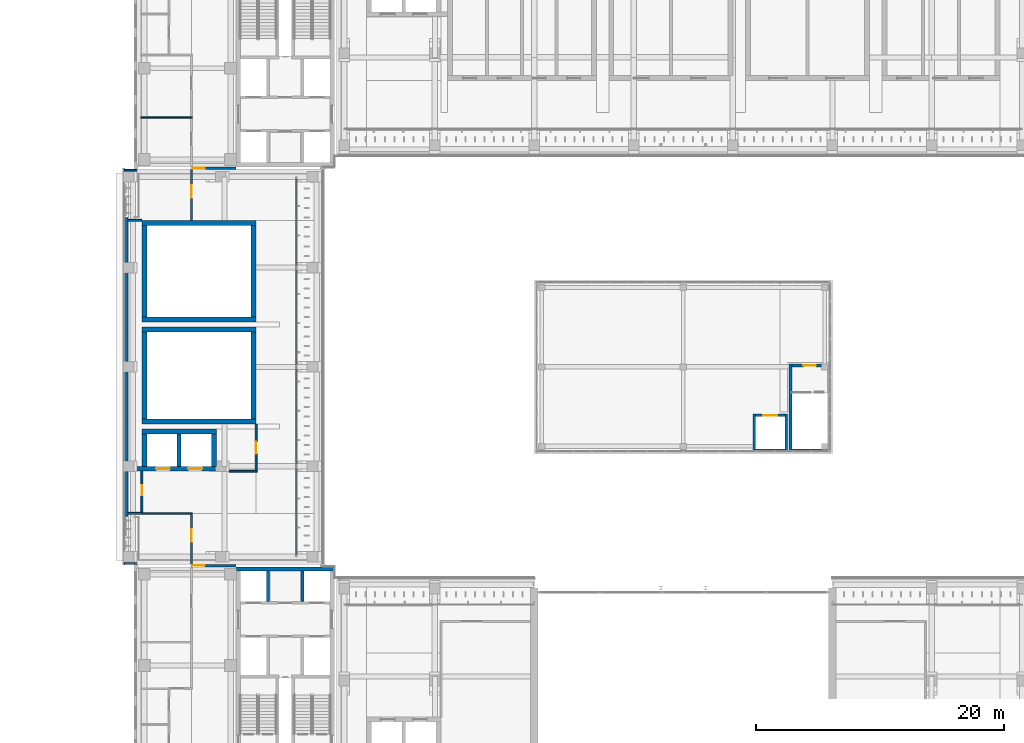
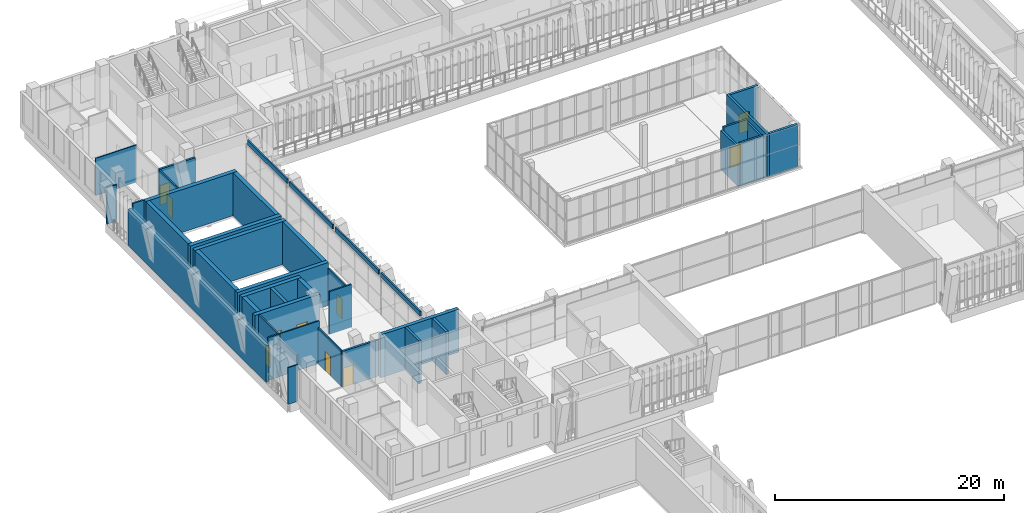
# One storey, part 64 of 92: 41 walls, 10 doors, 10 openings.
"""IFC4 building model written with IfcOpenShell, lengths in metres."""

from ifc_helpers import new_model, si_unit, direction, frame, frame_2d, origin, place, context, subcontext, project, spatial, rectangle, extrude, material, layer, layer_set, type_object, element, fill, save


model = new_model("IFC4")

# Units and contexts
model_context = context("Model", 3, precision=1e-05, world=origin(), true_north=direction((0.0, 1.0)))
body_context = subcontext(model_context, "Body", "Model", "MODEL_VIEW")
ifc_project = project(units=[si_unit("LENGTHUNIT", "METRE"), si_unit("AREAUNIT", "SQUARE_METRE"), si_unit("VOLUMEUNIT", "CUBIC_METRE"), si_unit("PLANEANGLEUNIT", "RADIAN"), si_unit("MASSUNIT", "GRAM", prefix="KILO")], contexts=[model_context])

# Site, building, storey
site_placement = place(None, origin())
site = spatial("IfcSite", under=ifc_project, at=site_placement, CompositionType="ELEMENT")
building_placement = place(site_placement, origin())
building = spatial("IfcBuilding", under=site, at=building_placement, Name="Lantern Court Media Centre", CompositionType="ELEMENT")
storey_placement = place(building_placement, frame((0.0, 0.0, 4.800048828125)))
storey = spatial("IfcBuildingStorey", under=building, at=storey_placement, Name="L01", CompositionType="ELEMENT", Elevation=4.800048828125)

# Wall, opening, door
ifc_material_1 = material(Name="Gypsum board partition")
ifc_layer_1 = layer(ifc_material_1, 0.125)
ifc_layer_set_1 = layer_set([ifc_layer_1], Name="Gypsum board partition")
wall_type_1 = type_object("IfcWallType", Name="Corridor partition 125", PredefinedType="PARTITIONING", material=ifc_layer_set_1)
wall_1_placement = place(storey_placement, frame((12.39990234375, 64.10009765625, 0.0), z_axis=(0.0, 0.0, 1.0), x_axis=(0.0, 1.0, 0.0)))
wall_1 = element("IfcWall", 1, at=wall_1_placement, inside=storey, type_object=wall_type_1, Name="L01 partition 024", PredefinedType="PARTITIONING", context=body_context, shape_type="SweptSolid", body=[
    extrude(rectangle(XDim=4.037353515625, YDim=0.125, at=frame_2d((2.0185546875, 0.0))), origin(), (0.0, 0.0, 1.0), 3.8798828125),
])
opening_1_placement = place(wall_1_placement, frame((1.824951171875, 0.0, 0.0)))
opening_1 = element("IfcOpeningElement", 2, at=opening_1_placement, cuts=wall_1, Name="Opening L01-014", PredefinedType="OPENING", context=body_context, shape_type="SweptSolid", body=[
    extrude(rectangle(XDim=1.0, YDim=2.10009765625, at=frame_2d((0.5, 1.050048828125))), frame((0.0, 0.072509765625, 0.0), z_axis=(0.0, -1.0, 0.0), x_axis=(1.0, 0.0, 0.0)), (0.0, 0.0, 1.0), 0.14501953125),
])
ifc_material_2 = material(Name="Solid-core timber door leaf", Category="wood")
door_type_1 = type_object("IfcDoorType", Name="Single door 1000x2100", OperationType="NOTDEFINED", PredefinedType="DOOR", material=ifc_material_2)
door_1_placement = place(opening_1_placement, origin())
door_1 = element("IfcDoor", 3, at=door_1_placement, inside=storey, type_object=door_type_1, Name="L01 Projection Room Screen 3 door", OperationType="SINGLE_SWING_LEFT", OverallHeight=2.10009765625, OverallWidth=1.0, PredefinedType="DOOR", context=body_context, shape_type="SweptSolid", body=[
    extrude(rectangle(XDim=1.0, YDim=2.10009765625, at=frame_2d((0.5, 1.050048828125))), frame((0.0, 0.02490234375, 0.0), z_axis=(0.0, -1.0, 0.0), x_axis=(1.0, 0.0, 0.0)), (0.0, 0.0, 1.0), 0.050048828125),
])
fill(opening_1, door_1)

wall_2_placement = place(storey_placement, frame((12.39990234375, 91.804931640625, 0.0), z_axis=(0.0, 0.0, 1.0), x_axis=(0.0, 1.0, 0.0)))
wall_2 = element("IfcWall", 4, at=wall_2_placement, inside=storey, type_object=wall_type_1, Name="L01 partition 025", PredefinedType="PARTITIONING", context=body_context, shape_type="SweptSolid", body=[
    extrude(rectangle(XDim=4.094970703125, YDim=0.125, at=frame_2d((2.04736328125, 0.0))), origin(), (0.0, 0.0, 1.0), 3.8798828125),
])
opening_2_placement = place(wall_2_placement, frame((1.820068359375, 0.0, 0.0)))
opening_2 = element("IfcOpeningElement", 5, at=opening_2_placement, cuts=wall_2, Name="Opening L01-015", PredefinedType="OPENING", context=body_context, shape_type="SweptSolid", body=[
    extrude(rectangle(XDim=1.0, YDim=2.10009765625, at=frame_2d((0.5, 1.050048828125))), frame((0.0, 0.072509765625, 0.0), z_axis=(0.0, -1.0, 0.0), x_axis=(1.0, 0.0, 0.0)), (0.0, 0.0, 1.0), 0.14501953125),
])
door_2_placement = place(opening_2_placement, origin())
door_2 = element("IfcDoor", 6, at=door_2_placement, inside=storey, type_object=door_type_1, Name="L01 Projection Room Screen 4 door", OperationType="SINGLE_SWING_RIGHT", OverallHeight=2.10009765625, OverallWidth=1.0, PredefinedType="DOOR", context=body_context, shape_type="SweptSolid", body=[
    extrude(rectangle(XDim=1.0, YDim=2.10009765625, at=frame_2d((0.5, 1.050048828125))), frame((0.0, 0.02490234375, 0.0), z_axis=(0.0, -1.0, 0.0), x_axis=(1.0, 0.0, 0.0)), (0.0, 0.0, 1.0), 0.050048828125),
])
fill(opening_2, door_2)

# Walls
wall_3_placement = place(storey_placement, frame((8.320068359375, 68.199951171875, 0.0), z_axis=(0.0, 0.0, 1.0), x_axis=(1.0, 0.0, 0.0)))
element("IfcWall", 7, at=wall_3_placement, inside=storey, type_object=wall_type_1, Name="L01 partition 028", PredefinedType="PARTITIONING", context=body_context, shape_type="SweptSolid", body=[
    extrude(rectangle(XDim=4.142333984375, YDim=0.125, at=frame_2d((2.0712890625, 0.0))), origin(), (0.0, 0.0, 1.0), 4.56005859375),
])
ifc_material_3 = material(Name="Insulated rendered blockwork", Category="masonry")
ifc_layer_2 = layer(ifc_material_3, 0.14990234375)
ifc_layer_set_2 = layer_set([ifc_layer_2], Name="Insulated rendered blockwork")
wall_type_2 = type_object("IfcWallType", Name="Head infill wall 150", PredefinedType="SOLIDWALL", material=ifc_layer_set_2)
wall_4_placement = place(storey_placement, frame((20.85009765625, 64.89990234375, 4.099853515625), z_axis=(0.0, 0.0, 1.0), x_axis=(0.0, 1.0, 0.0)))
element("IfcWall", 8, at=wall_4_placement, inside=storey, type_object=wall_type_2, Name="Head infill wall W inner L01", PredefinedType="SOLIDWALL", context=body_context, shape_type="SweptSolid", body=[
    extrude(rectangle(XDim=6.900146484375, YDim=0.14990234375, at=frame_2d((3.4501953125, 0.0))), origin(), (0.0, 0.0, 1.0), 0.47998046875),
])
for number, where, z_axis, x_axis, name in (
    (9, (20.85009765625, 72.199951171875, 4.099853515625), (0.0, 0.0, 1.0), (0.0, 1.0, 0.0), "Head infill wall W inner L01"),
    (10, (20.85009765625, 80.199951171875, 4.099853515625), (0.0, 0.0, 1.0), (0.0, 1.0, 0.0), "Head infill wall W inner L01"),
):
    element("IfcWall", number, at=place(storey_placement, frame(where, z_axis=z_axis, x_axis=x_axis)), inside=storey, type_object=wall_type_2, Name=name, PredefinedType="SOLIDWALL", context=body_context, shape_type="SweptSolid", body=[
        extrude(rectangle(XDim=7.60009765625, YDim=0.14990234375, at=frame_2d((3.800048828125, 0.0))), origin(), (0.0, 0.0, 1.0), 0.47998046875),
    ])
wall_5_placement = place(storey_placement, frame((20.85009765625, 88.199951171875, 4.099853515625), z_axis=(0.0, 0.0, 1.0), x_axis=(0.0, 1.0, 0.0)))
element("IfcWall", 11, at=wall_5_placement, inside=storey, type_object=wall_type_2, Name="Head infill wall W inner L01", PredefinedType="SOLIDWALL", context=body_context, shape_type="SweptSolid", body=[
    extrude(rectangle(XDim=6.900146484375, YDim=0.14990234375, at=frame_2d((3.4501953125, 0.0))), origin(), (0.0, 0.0, 1.0), 0.47998046875),
])
ifc_material_4 = material(Name="Honed limestone cladding on blockwork", Category="masonry")
ifc_layer_3 = layer(ifc_material_4, 0.139892578125)
ifc_layer_set_3 = layer_set([ifc_layer_3], Name="Honed limestone cladding on blockwork")
wall_type_3 = type_object("IfcWallType", Name="Limestone closure wall 140", PredefinedType="SOLIDWALL", material=ifc_layer_set_3)
for number, where, z_axis, x_axis, name in (
    (12, (7.0, 64.169921875, 0.0), (0.0, 0.0, 1.0), (1.0, 0.0, 0.0), "Limestone closure wall W-SW L01"),
    (13, (7.0, 95.830078125, 0.0), (0.0, 0.0, 1.0), (1.0, 0.0, 0.0), "Limestone closure wall W-NW L01"),
):
    element("IfcWall", number, at=place(storey_placement, frame(where, z_axis=z_axis, x_axis=x_axis)), inside=storey, type_object=wall_type_3, Name=name, PredefinedType="SOLIDWALL", context=body_context, shape_type="SweptSolid", body=[
        extrude(rectangle(XDim=1.0, YDim=0.139892578125, at=frame_2d((0.5, 0.0))), origin(), (0.0, 0.0, 1.0), 3.89990234375),
    ])
ifc_layer_4 = layer(ifc_material_4, 0.300048828125)
ifc_layer_set_4 = layer_set([ifc_layer_4], Name="Honed limestone cladding on blockwork")
wall_type_4 = type_object("IfcWallType", Name="Limestone flank wall 300", PredefinedType="SOLIDWALL", material=ifc_layer_set_4)
wall_6_placement = place(storey_placement, frame((7.14990234375, 67.949951171875, 0.0), z_axis=(0.0, 0.0, 1.0), x_axis=(0.0, 1.0, 0.0)))
element("IfcWall", 14, at=wall_6_placement, inside=storey, type_object=wall_type_4, Name="Limestone flank wall W outer L01", PredefinedType="SOLIDWALL", context=body_context, shape_type="SweptSolid", body=[
    extrude(rectangle(XDim=24.10009765625, YDim=0.300048828125, at=frame_2d((12.050048828125, 0.0))), origin(), (0.0, 0.0, 1.0), 3.89990234375),
])

# Wall, opening, door
ifc_material_5 = material(Name="Fire-rated gypsum board")
ifc_layer_5 = layer(ifc_material_5, 0.199951171875)
ifc_layer_set_5 = layer_set([ifc_layer_5], Name="Fire-rated gypsum board")
wall_type_5 = type_object("IfcWallType", Name="Movement-joint compartment wall 200", PredefinedType="PARTITIONING", material=ifc_layer_set_5)
wall_7_placement = place(storey_placement, frame((12.39990234375, 64.0, 0.0), z_axis=(0.0, 0.0, 1.0), x_axis=(1.0, 0.0, 0.0)))
wall_7 = element("IfcWall", 15, at=wall_7_placement, inside=storey, type_object=wall_type_5, Name="L01 movement-joint wall 04", PredefinedType="PARTITIONING", context=body_context, shape_type="SweptSolid", body=[
    extrude(rectangle(XDim=3.60009765625, YDim=0.199951171875, at=frame_2d((1.800048828125, 0.0))), origin(), (0.0, 0.0, 1.0), 3.8798828125),
])
opening_3_placement = place(wall_7_placement, frame((0.050048828125, 0.0, 0.0)))
opening_3 = element("IfcOpeningElement", 16, at=opening_3_placement, cuts=wall_7, Name="Opening L01-J04", PredefinedType="OPENING", context=body_context, shape_type="SweptSolid", body=[
    extrude(rectangle(XDim=1.0, YDim=2.10009765625, at=frame_2d((0.5, 1.050048828125))), frame((0.0, 0.10986328125, 0.0), z_axis=(0.0, -1.0, 0.0), x_axis=(1.0, 0.0, 0.0)), (0.0, 0.0, 1.0), 0.219970703125),
])
ifc_material_6 = material(Name="Steel door leaf", Category="steel")
door_type_2 = type_object("IfcDoorType", Name="Movement-joint fire door 1000x2100", OperationType="NOTDEFINED", PredefinedType="DOOR", material=ifc_material_6)
door_3_placement = place(opening_3_placement, frame((1.0, 0.0, 0.0), z_axis=(0.0, 0.0, 1.0), x_axis=(-1.0, 0.0, 0.0)))
door_3 = element("IfcDoor", 17, at=door_3_placement, inside=storey, type_object=door_type_2, Name="L01 bar end lobby door 04", OperationType="SINGLE_SWING_LEFT", OverallHeight=2.10009765625, OverallWidth=1.0, PredefinedType="DOOR", context=body_context, shape_type="SweptSolid", body=[
    extrude(rectangle(XDim=1.0, YDim=2.10009765625, at=frame_2d((0.5, 1.050048828125))), frame((0.0, 0.02490234375, 0.0), z_axis=(0.0, -1.0, 0.0), x_axis=(1.0, 0.0, 0.0)), (0.0, 0.0, 1.0), 0.050048828125),
])
fill(opening_3, door_3)

wall_8_placement = place(storey_placement, frame((12.39990234375, 96.0, 0.0), z_axis=(0.0, 0.0, 1.0), x_axis=(1.0, 0.0, 0.0)))
wall_8 = element("IfcWall", 18, at=wall_8_placement, inside=storey, type_object=wall_type_5, Name="L01 movement-joint wall 05", PredefinedType="PARTITIONING", context=body_context, shape_type="SweptSolid", body=[
    extrude(rectangle(XDim=3.60009765625, YDim=0.199951171875, at=frame_2d((1.800048828125, 0.0))), origin(), (0.0, 0.0, 1.0), 3.8798828125),
])
opening_4_placement = place(wall_8_placement, frame((0.050048828125, 0.0, 0.0)))
opening_4 = element("IfcOpeningElement", 19, at=opening_4_placement, cuts=wall_8, Name="Opening L01-J05", PredefinedType="OPENING", context=body_context, shape_type="SweptSolid", body=[
    extrude(rectangle(XDim=1.0, YDim=2.10009765625, at=frame_2d((0.5, 1.050048828125))), frame((0.0, 0.10986328125, 0.0), z_axis=(0.0, -1.0, 0.0), x_axis=(1.0, 0.0, 0.0)), (0.0, 0.0, 1.0), 0.219970703125),
])
door_4_placement = place(opening_4_placement, origin())
door_4 = element("IfcDoor", 20, at=door_4_placement, inside=storey, type_object=door_type_2, Name="L01 bar end lobby door 05", OperationType="SINGLE_SWING_LEFT", OverallHeight=2.10009765625, OverallWidth=1.0, PredefinedType="DOOR", context=body_context, shape_type="SweptSolid", body=[
    extrude(rectangle(XDim=1.0, YDim=2.10009765625, at=frame_2d((0.5, 1.050048828125))), frame((0.0, 0.02490234375, 0.0), z_axis=(0.0, -1.0, 0.0), x_axis=(1.0, 0.0, 0.0)), (0.0, 0.0, 1.0), 0.050048828125),
])
fill(opening_4, door_4)

# Walls
ifc_layer_6 = layer(ifc_material_1, 0.10009765625)
ifc_layer_set_6 = layer_set([ifc_layer_6], Name="Gypsum board partition")
wall_type_6 = type_object("IfcWallType", Name="Partition 100", PredefinedType="PARTITIONING", material=ifc_layer_set_6)
wall_9_placement = place(storey_placement, frame((8.300048828125, 100.080078125, 0.0), z_axis=(0.0, 0.0, 1.0), x_axis=(1.0, 0.0, 0.0)))
element("IfcWall", 21, at=wall_9_placement, inside=storey, type_object=wall_type_6, Name="L01 partition 054", PredefinedType="PARTITIONING", context=body_context, shape_type="SweptSolid", body=[
    extrude(rectangle(XDim=4.162353515625, YDim=0.10009765625, at=frame_2d((2.0810546875, 0.0))), origin(), (0.0, 0.0, 1.0), 3.97998046875),
])
ifc_material_7 = material(Name="Concrete blockwork C20", Category="masonry")
ifc_layer_7 = layer(ifc_material_7, 0.14990234375)
ifc_layer_set_7 = layer_set([ifc_layer_7], Name="Concrete blockwork C20")
wall_type_7 = type_object("IfcWallType", Name="Partition 150 masonry", PredefinedType="PARTITIONING", material=ifc_layer_set_7)
wall_10_placement = place(storey_placement, frame((15.429931640625, 71.60009765625, 0.0), z_axis=(0.0, 0.0, 1.0), x_axis=(1.0, 0.0, 0.0)))
element("IfcWall", 22, at=wall_10_placement, inside=storey, type_object=wall_type_7, Name="L01 partition 034", PredefinedType="PARTITIONING", context=body_context, shape_type="SweptSolid", body=[
    extrude(rectangle(XDim=2.2451171875, YDim=0.14990234375, at=frame_2d((1.12255859375, 0.0))), origin(), (0.0, 0.0, 1.0), 4.56005859375),
])

# Wall, opening, door
wall_11_placement = place(storey_placement, frame((17.60009765625, 71.675048828125, 0.0), z_axis=(0.0, 0.0, 1.0), x_axis=(0.0, 1.0, 0.0)))
wall_11 = element("IfcWall", 23, at=wall_11_placement, inside=storey, type_object=wall_type_7, Name="L01 partition 036", PredefinedType="PARTITIONING", context=body_context, shape_type="SweptSolid", body=[
    extrude(rectangle(XDim=3.724853515625, YDim=0.14990234375, at=frame_2d((1.8623046875, 0.0))), origin(), (0.0, 0.0, 1.0), 3.97998046875),
])
opening_5_placement = place(wall_11_placement, frame((1.3349609375, 0.0, 0.0)))
opening_5 = element("IfcOpeningElement", 24, at=opening_5_placement, cuts=wall_11, Name="Opening L01-016", PredefinedType="OPENING", context=body_context, shape_type="SweptSolid", body=[
    extrude(rectangle(XDim=0.949951171875, YDim=2.10009765625, at=frame_2d((0.47509765625, 1.050048828125))), frame((0.0, 0.0849609375, 0.0), z_axis=(0.0, -1.0, 0.0), x_axis=(1.0, 0.0, 0.0)), (0.0, 0.0, 1.0), 0.169921875),
])
door_type_3 = type_object("IfcDoorType", Name="Accessible WC door 950x2100", OperationType="NOTDEFINED", PredefinedType="DOOR", material=ifc_material_2)
door_5_placement = place(opening_5_placement, origin())
door_5 = element("IfcDoor", 25, at=door_5_placement, inside=storey, type_object=door_type_3, Name="L01 Accessible WC door", OperationType="SINGLE_SWING_LEFT", OverallHeight=2.10009765625, OverallWidth=0.949951171875, PredefinedType="DOOR", context=body_context, shape_type="SweptSolid", body=[
    extrude(rectangle(XDim=0.949951171875, YDim=2.10009765625, at=frame_2d((0.47509765625, 1.050048828125))), frame((0.0, 0.02490234375, 0.0), z_axis=(0.0, -1.0, 0.0), x_axis=(1.0, 0.0, 0.0)), (0.0, 0.0, 1.0), 0.050048828125),
])
fill(opening_5, door_5)

# Walls
ifc_material_8 = material(Name="Concrete C40", Category="concrete")
ifc_layer_8 = layer(ifc_material_8, 0.35009765625)
ifc_layer_set_8 = layer_set([ifc_layer_8], Name="Concrete C40")
wall_type_8 = type_object("IfcWallType", Name="RC CORE WALL 350", PredefinedType="SHEAR", material=ifc_layer_set_8)
wall_12_placement = place(storey_placement, frame((16.0, 63.72509765625, 0.0), z_axis=(0.0, 0.0, 1.0), x_axis=(1.0, 0.0, 0.0)))
element("IfcWall", 26, at=wall_12_placement, inside=storey, type_object=wall_type_8, Name="WC-SW-L01-N", PredefinedType="SHEAR", context=body_context, shape_type="SweptSolid", body=[
    extrude(rectangle(XDim=7.89990234375, YDim=0.35009765625, at=frame_2d((3.949951171875, 0.0))), origin(), (0.0, 0.0, 1.0), 4.579833984375),
])
ifc_layer_9 = layer(ifc_material_8, 0.300048828125)
ifc_layer_set_9 = layer_set([ifc_layer_9], Name="Concrete C40")
wall_type_9 = type_object("IfcWallType", Name="RC SHEAR WALL 300", PredefinedType="SHEAR", material=ifc_layer_set_9)
wall_13_placement = place(storey_placement, frame((11.39990234375, 72.0, 0.0), z_axis=(0.0, 0.0, 1.0), x_axis=(0.0, 1.0, 0.0)))
element("IfcWall", 27, at=wall_13_placement, inside=storey, type_object=wall_type_9, Name="WB-W-LC-L01-D", PredefinedType="SHEAR", context=body_context, shape_type="SweptSolid", body=[
    extrude(rectangle(XDim=2.60009765625, YDim=0.300048828125, at=frame_2d((1.300048828125, 0.0))), origin(), (0.0, 0.0, 1.0), 4.579833984375),
])
ifc_layer_10 = layer(ifc_material_8, 0.39990234375)
ifc_layer_set_10 = layer_set([ifc_layer_10], Name="Concrete C40")
wall_type_10 = type_object("IfcWallType", Name="RC SHEAR WALL 400", PredefinedType="SHEAR", material=ifc_layer_set_10)
for number, where, z_axis, x_axis, name in (
    (28, (8.39990234375, 75.60009765625, 0.0), (0.0, 0.0, 1.0), (1.0, 0.0, 0.0), "WB-A3-L01-S"),
    (29, (8.39990234375, 83.0, 0.0), (0.0, 0.0, 1.0), (1.0, 0.0, 0.0), "WB-A3-L01-N"),
):
    element("IfcWall", number, at=place(storey_placement, frame(where, z_axis=z_axis, x_axis=x_axis)), inside=storey, type_object=wall_type_10, Name=name, PredefinedType="SHEAR", context=body_context, shape_type="SweptSolid", body=[
        extrude(rectangle(XDim=9.2001953125, YDim=0.39990234375, at=frame_2d((4.60009765625, 0.0))), origin(), (0.0, 0.0, 1.0), 4.579833984375),
    ])
for number, where, z_axis, x_axis, name in (
    (30, (8.60009765625, 75.800048828125, 0.0), (0.0, 0.0, 1.0), (0.0, 1.0, 0.0), "WB-A3-L01-W"),
    (31, (17.39990234375, 75.800048828125, 0.0), (0.0, 0.0, 1.0), (0.0, 1.0, 0.0), "WB-A3-L01-E"),
):
    element("IfcWall", number, at=place(storey_placement, frame(where, z_axis=z_axis, x_axis=x_axis)), inside=storey, type_object=wall_type_10, Name=name, PredefinedType="SHEAR", context=body_context, shape_type="SweptSolid", body=[
        extrude(rectangle(XDim=7.0, YDim=0.39990234375, at=frame_2d((3.5, 0.0))), origin(), (0.0, 0.0, 1.0), 4.579833984375),
    ])
for number, where, z_axis, x_axis, name in (
    (32, (8.39990234375, 83.800048828125, 0.0), (0.0, 0.0, 1.0), (1.0, 0.0, 0.0), "WB-A4-L01-S"),
    (33, (8.39990234375, 91.60009765625, 0.0), (0.0, 0.0, 1.0), (1.0, 0.0, 0.0), "WB-A4-L01-N"),
):
    element("IfcWall", number, at=place(storey_placement, frame(where, z_axis=z_axis, x_axis=x_axis)), inside=storey, type_object=wall_type_10, Name=name, PredefinedType="SHEAR", context=body_context, shape_type="SweptSolid", body=[
        extrude(rectangle(XDim=9.2001953125, YDim=0.39990234375, at=frame_2d((4.60009765625, 0.0))), origin(), (0.0, 0.0, 1.0), 4.579833984375),
    ])
for number, where, z_axis, x_axis, name in (
    (34, (8.60009765625, 84.0, 0.0), (0.0, 0.0, 1.0), (0.0, 1.0, 0.0), "WB-A4-L01-W"),
    (35, (17.39990234375, 84.0, 0.0), (0.0, 0.0, 1.0), (0.0, 1.0, 0.0), "WB-A4-L01-E"),
):
    element("IfcWall", number, at=place(storey_placement, frame(where, z_axis=z_axis, x_axis=x_axis)), inside=storey, type_object=wall_type_10, Name=name, PredefinedType="SHEAR", context=body_context, shape_type="SweptSolid", body=[
        extrude(rectangle(XDim=7.39990234375, YDim=0.39990234375, at=frame_2d((3.699951171875, 0.0))), origin(), (0.0, 0.0, 1.0), 4.579833984375),
    ])

# Wall, openings, doors
wall_14_placement = place(storey_placement, frame((7.96240234375, 71.800048828125, 0.0), z_axis=(0.0, 0.0, 1.0), x_axis=(1.0, 0.0, 0.0)))
wall_14 = element("IfcWall", 36, at=wall_14_placement, inside=storey, type_object=wall_type_10, Name="WB-W-LC-L01-S", PredefinedType="SHEAR", context=body_context, shape_type="SweptSolid", body=[
    extrude(rectangle(XDim=6.550048828125, YDim=0.39990234375, at=frame_2d((3.27490234375, 0.0))), origin(), (0.0, 0.0, 1.0), 4.579833984375),
])
opening_6_placement = place(wall_14_placement, frame((1.58740234375, 0.0, 0.0)))
opening_6 = element("IfcOpeningElement", 37, at=opening_6_placement, cuts=wall_14, Name="Opening LD-W-LCP-L01", PredefinedType="OPENING", context=body_context, shape_type="SweptSolid", body=[
    extrude(rectangle(XDim=1.10009765625, YDim=2.10009765625, at=frame_2d((0.550048828125, 1.050048828125))), frame((0.0, 0.2099609375, 0.0), z_axis=(0.0, -1.0, 0.0), x_axis=(1.0, 0.0, 0.0)), (0.0, 0.0, 1.0), 0.419921875),
])
opening_7_placement = place(wall_14_placement, frame((4.1875, 0.0, 0.0)))
opening_7 = element("IfcOpeningElement", 38, at=opening_7_placement, cuts=wall_14, Name="Opening LD-W-LCS-L01", PredefinedType="OPENING", context=body_context, shape_type="SweptSolid", body=[
    extrude(rectangle(XDim=1.10009765625, YDim=2.10009765625, at=frame_2d((0.550048828125, 1.050048828125))), frame((0.0, 0.2099609375, 0.0), z_axis=(0.0, -1.0, 0.0), x_axis=(1.0, 0.0, 0.0)), (0.0, 0.0, 1.0), 0.419921875),
])
door_type_4 = type_object("IfcDoorType", Name="Lift landing door 1100x2100", OperationType="DOUBLE_DOOR_SLIDING", PredefinedType="DOOR", material=ifc_material_6)
door_6_placement = place(opening_6_placement, frame((1.10009765625, 0.0, 0.0), z_axis=(0.0, 0.0, 1.0), x_axis=(-1.0, 0.0, 0.0)))
door_6 = element("IfcDoor", 39, at=door_6_placement, inside=storey, type_object=door_type_4, Name="L01 W-LC passenger lift landing door", OperationType="DOUBLE_DOOR_SLIDING", OverallHeight=2.10009765625, OverallWidth=1.10009765625, PredefinedType="DOOR", context=body_context, shape_type="SweptSolid", body=[
    extrude(rectangle(XDim=1.10009765625, YDim=2.10009765625, at=frame_2d((0.550048828125, 1.050048828125))), frame((0.0, 0.02490234375, 0.0), z_axis=(0.0, -1.0, 0.0), x_axis=(1.0, 0.0, 0.0)), (0.0, 0.0, 1.0), 0.050048828125),
])
fill(opening_6, door_6)
door_7_placement = place(opening_7_placement, frame((1.10009765625, 0.0, 0.0), z_axis=(0.0, 0.0, 1.0), x_axis=(-1.0, 0.0, 0.0)))
door_7 = element("IfcDoor", 40, at=door_7_placement, inside=storey, type_object=door_type_4, Name="L01 W-LC service lift landing door", OperationType="DOUBLE_DOOR_SLIDING", OverallHeight=2.10009765625, OverallWidth=1.10009765625, PredefinedType="DOOR", context=body_context, shape_type="SweptSolid", body=[
    extrude(rectangle(XDim=1.10009765625, YDim=2.10009765625, at=frame_2d((0.550048828125, 1.050048828125))), frame((0.0, 0.02490234375, 0.0), z_axis=(0.0, -1.0, 0.0), x_axis=(1.0, 0.0, 0.0)), (0.0, 0.0, 1.0), 0.050048828125),
])
fill(opening_7, door_7)

# Walls
wall_15_placement = place(storey_placement, frame((8.39990234375, 74.800048828125, 0.0), z_axis=(0.0, 0.0, 1.0), x_axis=(1.0, 0.0, 0.0)))
element("IfcWall", 41, at=wall_15_placement, inside=storey, type_object=wall_type_10, Name="WB-W-LC-L01-N", PredefinedType="SHEAR", context=body_context, shape_type="SweptSolid", body=[
    extrude(rectangle(XDim=6.0, YDim=0.39990234375, at=frame_2d((3.0, 0.0))), origin(), (0.0, 0.0, 1.0), 4.579833984375),
])
for number, where, z_axis, x_axis, name in (
    (42, (8.60009765625, 72.0, 0.0), (0.0, 0.0, 1.0), (0.0, 1.0, 0.0), "WB-W-LC-L01-W"),
    (43, (14.199951171875, 72.0, 0.0), (0.0, 0.0, 1.0), (0.0, 1.0, 0.0), "WB-W-LC-L01-E"),
):
    element("IfcWall", number, at=place(storey_placement, frame(where, z_axis=z_axis, x_axis=x_axis)), inside=storey, type_object=wall_type_10, Name=name, PredefinedType="SHEAR", context=body_context, shape_type="SweptSolid", body=[
        extrude(rectangle(XDim=2.60009765625, YDim=0.39990234375, at=frame_2d((1.300048828125, 0.0))), origin(), (0.0, 0.0, 1.0), 4.579833984375),
    ])
ifc_layer_11 = layer(ifc_material_8, 0.199951171875)
ifc_layer_set_11 = layer_set([ifc_layer_11], Name="Concrete C40")
wall_type_11 = type_object("IfcWallType", Name="RC lift shaft wall 200", PredefinedType="SOLIDWALL", material=ifc_layer_set_11)
for number, where, z_axis, x_axis, name in (
    (44, (57.699951171875, 73.199951171875, 0.0), (0.0, 0.0, 1.0), (0.0, 1.0, 0.0), "L01 PB-LIFT shaft wall W"),
    (45, (60.300048828125, 73.199951171875, 0.0), (0.0, 0.0, 1.0), (0.0, 1.0, 0.0), "L01 PB-LIFT shaft wall E"),
):
    element("IfcWall", number, at=place(storey_placement, frame(where, z_axis=z_axis, x_axis=x_axis)), inside=storey, type_object=wall_type_11, Name=name, PredefinedType="SOLIDWALL", context=body_context, shape_type="SweptSolid", body=[
        extrude(rectangle(XDim=3.0, YDim=0.199951171875, at=frame_2d((1.5, 0.0))), origin(), (0.0, 0.0, 1.0), 4.179931640625),
    ])
wall_16_placement = place(storey_placement, frame((57.800048828125, 73.300048828125, 0.0), z_axis=(0.0, 0.0, 1.0), x_axis=(1.0, 0.0, 0.0)))
element("IfcWall", 46, at=wall_16_placement, inside=storey, type_object=wall_type_11, Name="L01 PB-LIFT shaft wall S", PredefinedType="SOLIDWALL", context=body_context, shape_type="SweptSolid", body=[
    extrude(rectangle(XDim=2.39990234375, YDim=0.199951171875, at=frame_2d((1.199951171875, 0.0))), origin(), (0.0, 0.0, 1.0), 4.550048828125),
])

# Wall, opening, door
wall_17_placement = place(storey_placement, frame((57.800048828125, 76.10009765625, 0.0), z_axis=(0.0, 0.0, 1.0), x_axis=(1.0, 0.0, 0.0)))
wall_17 = element("IfcWall", 47, at=wall_17_placement, inside=storey, type_object=wall_type_11, Name="L01 PB-LIFT shaft wall N", PredefinedType="SOLIDWALL", context=body_context, shape_type="SweptSolid", body=[
    extrude(rectangle(XDim=2.39990234375, YDim=0.199951171875, at=frame_2d((1.199951171875, 0.0))), origin(), (0.0, 0.0, 1.0), 4.550048828125),
])
opening_8_placement = place(wall_17_placement, frame((0.64990234375, 0.0, 0.0)))
opening_8 = element("IfcOpeningElement", 48, at=opening_8_placement, cuts=wall_17, Name="Opening LD-PB-LIFT-L01", PredefinedType="OPENING", context=body_context, shape_type="SweptSolid", body=[
    extrude(rectangle(XDim=1.10009765625, YDim=2.10009765625, at=frame_2d((0.550048828125, 1.050048828125))), frame((0.0, 0.10986328125, 0.0), z_axis=(0.0, -1.0, 0.0), x_axis=(1.0, 0.0, 0.0)), (0.0, 0.0, 1.0), 0.219970703125),
])
door_8_placement = place(opening_8_placement, origin())
door_8 = element("IfcDoor", 49, at=door_8_placement, inside=storey, type_object=door_type_4, Name="L01 PB-LIFT lift landing door", OperationType="DOUBLE_DOOR_SLIDING", OverallHeight=2.10009765625, OverallWidth=1.10009765625, PredefinedType="DOOR", context=body_context, shape_type="SweptSolid", body=[
    extrude(rectangle(XDim=1.10009765625, YDim=2.10009765625, at=frame_2d((0.550048828125, 1.050048828125))), frame((0.0, 0.02490234375, 0.0), z_axis=(0.0, -1.0, 0.0), x_axis=(1.0, 0.0, 0.0)), (0.0, 0.0, 1.0), 0.050048828125),
])
fill(opening_8, door_8)

# Walls
ifc_layer_12 = layer(ifc_material_8, 0.25)
ifc_layer_set_12 = layer_set([ifc_layer_12], Name="Concrete C40")
wall_type_12 = type_object("IfcWallType", Name="RC lift shaft wall 250", PredefinedType="SOLIDWALL", material=ifc_layer_set_12)
for number, where, z_axis, x_axis, name in (
    (50, (18.574951171875, 61.10009765625, 0.0), (0.0, 0.0, 1.0), (0.0, 1.0, 0.0), "L01 SW L1b"),
    (51, (21.324951171875, 61.10009765625, 0.0), (0.0, 0.0, 1.0), (0.0, 1.0, 0.0), "L01 SW L2b"),
):
    element("IfcWall", number, at=place(storey_placement, frame(where, z_axis=z_axis, x_axis=x_axis)), inside=storey, type_object=wall_type_12, Name=name, PredefinedType="SOLIDWALL", context=body_context, shape_type="SweptSolid", body=[
        extrude(rectangle(XDim=2.449951171875, YDim=0.25, at=frame_2d((1.22509765625, 0.0))), origin(), (0.0, 0.0, 1.0), 4.550048828125),
    ])
ifc_layer_13 = layer(ifc_material_8, 0.25)
ifc_layer_set_13 = layer_set([ifc_layer_13], Name="Concrete C40")
wall_type_13 = type_object("IfcWallType", Name="RC stair shaft wall 250", PredefinedType="SOLIDWALL", material=ifc_layer_set_13)
wall_18_placement = place(storey_placement, frame((60.625, 73.14990234375, 0.0), z_axis=(0.0, 0.0, 1.0), x_axis=(0.0, 1.0, 0.0)))
element("IfcWall", 52, at=wall_18_placement, inside=storey, type_object=wall_type_13, Name="L01 PRESS-ST shaft wall W", PredefinedType="SOLIDWALL", context=body_context, shape_type="SweptSolid", body=[
    extrude(rectangle(XDim=7.10009765625, YDim=0.25, at=frame_2d((3.550048828125, 0.0))), origin(), (0.0, 0.0, 1.0), 4.550048828125),
])
wall_19_placement = place(storey_placement, frame((60.75, 73.27490234375, 0.0), z_axis=(0.0, 0.0, 1.0), x_axis=(1.0, 0.0, 0.0)))
element("IfcWall", 53, at=wall_19_placement, inside=storey, type_object=wall_type_13, Name="L01 PRESS-ST shaft wall S", PredefinedType="SOLIDWALL", context=body_context, shape_type="SweptSolid", body=[
    extrude(rectangle(XDim=2.85009765625, YDim=0.25, at=frame_2d((1.425048828125, 0.0))), origin(), (0.0, 0.0, 1.0), 4.550048828125),
])

# Wall, opening, door
wall_20_placement = place(storey_placement, frame((60.75, 80.125, 0.0), z_axis=(0.0, 0.0, 1.0), x_axis=(1.0, 0.0, 0.0)))
wall_20 = element("IfcWall", 54, at=wall_20_placement, inside=storey, type_object=wall_type_13, Name="L01 PRESS-ST shaft wall N", PredefinedType="SOLIDWALL", context=body_context, shape_type="SweptSolid", body=[
    extrude(rectangle(XDim=2.85009765625, YDim=0.25, at=frame_2d((1.425048828125, 0.0))), origin(), (0.0, 0.0, 1.0), 4.550048828125),
])
opening_9_placement = place(wall_20_placement, frame((0.925048828125, 0.0, 0.0)))
opening_9 = element("IfcOpeningElement", 55, at=opening_9_placement, cuts=wall_20, Name="Opening PRESS-ST-L01-01", PredefinedType="OPENING", context=body_context, shape_type="SweptSolid", body=[
    extrude(rectangle(XDim=1.0, YDim=2.10009765625, at=frame_2d((0.5, 1.050048828125))), frame((0.0, 0.135009765625, 0.0), z_axis=(0.0, -1.0, 0.0), x_axis=(1.0, 0.0, 0.0)), (0.0, 0.0, 1.0), 0.27001953125),
])
door_type_5 = type_object("IfcDoorType", Name="Stair door 1000x2100", OperationType="NOTDEFINED", PredefinedType="DOOR", material=ifc_material_6)
door_9_placement = place(opening_9_placement, origin())
door_9 = element("IfcDoor", 56, at=door_9_placement, inside=storey, type_object=door_type_5, Name="L01 PRESS-ST stair door", OperationType="SINGLE_SWING_RIGHT", OverallHeight=2.10009765625, OverallWidth=1.0, PredefinedType="DOOR", context=body_context, shape_type="SweptSolid", body=[
    extrude(rectangle(XDim=1.0, YDim=2.10009765625, at=frame_2d((0.5, 1.050048828125))), frame((0.0, 0.02490234375, 0.0), z_axis=(0.0, -1.0, 0.0), x_axis=(1.0, 0.0, 0.0)), (0.0, 0.0, 1.0), 0.050048828125),
])
fill(opening_9, door_9)

# Walls
ifc_layer_14 = layer(ifc_material_5, 0.159912109375)
ifc_layer_set_14 = layer_set([ifc_layer_14], Name="Fire-rated gypsum board")
wall_type_14 = type_object("IfcWallType", Name="Riser shaft liner wall 160", PredefinedType="PARTITIONING", material=ifc_layer_set_14)
wall_21_placement = place(storey_placement, frame((7.304931640625, 68.199951171875, 0.0), z_axis=(0.0, 0.0, 1.0), x_axis=(1.0, 0.0, 0.0)))
element("IfcWall", 57, at=wall_21_placement, inside=storey, type_object=wall_type_14, Name="L01 partition 027", PredefinedType="PARTITIONING", context=body_context, shape_type="SweptSolid", body=[
    extrude(rectangle(XDim=1.175048828125, YDim=0.159912109375, at=frame_2d((0.58740234375, 0.0))), origin(), (0.0, 0.0, 1.0), 4.56005859375),
])
wall_22_placement = place(storey_placement, frame((7.304931640625, 91.800048828125, 0.0), z_axis=(0.0, 0.0, 1.0), x_axis=(1.0, 0.0, 0.0)))
element("IfcWall", 58, at=wall_22_placement, inside=storey, type_object=wall_type_14, Name="L01 partition 030", PredefinedType="PARTITIONING", context=body_context, shape_type="SweptSolid", body=[
    extrude(rectangle(XDim=1.094970703125, YDim=0.159912109375, at=frame_2d((0.54736328125, 0.0))), origin(), (0.0, 0.0, 1.0), 4.56005859375),
])

# Wall, opening, door
wall_23_placement = place(storey_placement, frame((8.39990234375, 68.280029296875, 0.0), z_axis=(0.0, 0.0, 1.0), x_axis=(0.0, 1.0, 0.0)))
wall_23 = element("IfcWall", 59, at=wall_23_placement, inside=storey, type_object=wall_type_14, Name="L01 partition 033", PredefinedType="PARTITIONING", context=body_context, shape_type="SweptSolid", body=[
    extrude(rectangle(XDim=3.31494140625, YDim=0.159912109375, at=frame_2d((1.657470703125, 0.0))), origin(), (0.0, 0.0, 1.0), 4.56005859375),
])
opening_10_placement = place(wall_23_placement, frame((1.39990234375, 0.0, 0.0)))
opening_10 = element("IfcOpeningElement", 60, at=opening_10_placement, cuts=wall_23, Name="Opening L01-017", PredefinedType="OPENING", context=body_context, shape_type="SweptSolid", body=[
    extrude(rectangle(XDim=0.800048828125, YDim=2.10009765625, at=frame_2d((0.39990234375, 1.050048828125))), frame((0.0, 0.08984375, 0.0), z_axis=(0.0, -1.0, 0.0), x_axis=(1.0, 0.0, 0.0)), (0.0, 0.0, 1.0), 0.179931640625),
])
door_type_6 = type_object("IfcDoorType", Name="Riser access fire door 800x2100", OperationType="NOTDEFINED", PredefinedType="DOOR", material=ifc_material_6)
door_10_placement = place(opening_10_placement, origin())
door_10 = element("IfcDoor", 61, at=door_10_placement, inside=storey, type_object=door_type_6, Name="L01 Services Duct door", OperationType="SINGLE_SWING_RIGHT", OverallHeight=2.10009765625, OverallWidth=0.800048828125, PredefinedType="DOOR", context=body_context, shape_type="SweptSolid", body=[
    extrude(rectangle(XDim=0.800048828125, YDim=2.10009765625, at=frame_2d((0.39990234375, 1.050048828125))), frame((0.0, 0.02490234375, 0.0), z_axis=(0.0, -1.0, 0.0), x_axis=(1.0, 0.0, 0.0)), (0.0, 0.0, 1.0), 0.050048828125),
])
fill(opening_10, door_10)

save(model, "model.ifc")
